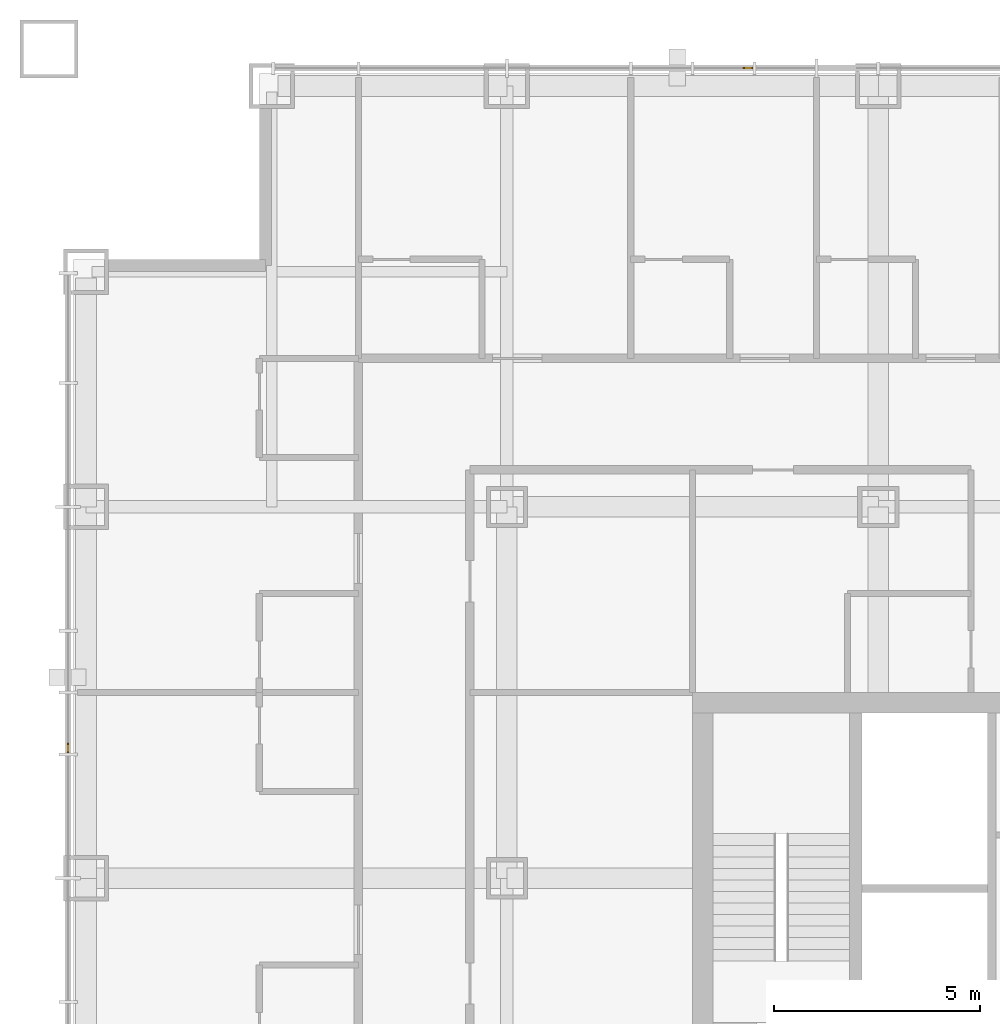
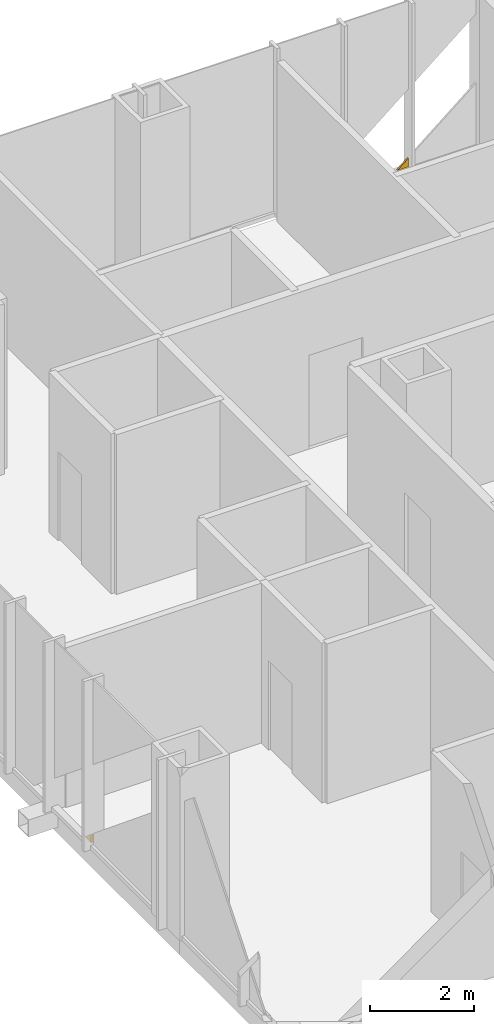
# One storey, part 17 of 18: 2 coverings.
"""IFC4 building model written with IfcOpenShell, lengths in metres."""

from ifc_helpers import new_model, si_unit, direction, frame, origin, place, context, subcontext, project, spatial, polyline, outline, extrude, material, layer, layer_set, type_object, element, save


model = new_model("IFC4")

# Units and contexts
model_context = context("Model", 3, precision=1e-05, world=origin(), true_north=direction((0.0, 1.0)))
body_context = subcontext(model_context, "Body", "Model", "MODEL_VIEW")
ifc_project = project(units=[si_unit("LENGTHUNIT", "METRE"), si_unit("AREAUNIT", "SQUARE_METRE"), si_unit("VOLUMEUNIT", "CUBIC_METRE"), si_unit("PLANEANGLEUNIT", "RADIAN"), si_unit("MASSUNIT", "GRAM", prefix="KILO")], contexts=[model_context])

# Site, building, storey
site_placement = place(None, origin())
site = spatial("IfcSite", under=ifc_project, at=site_placement, CompositionType="ELEMENT")
building_placement = place(site_placement, origin())
building = spatial("IfcBuilding", under=site, at=building_placement, Name="Malebo Sky Hospital", CompositionType="ELEMENT")
storey_placement = place(building_placement, frame((0.0, 0.0, 112.0)))
storey = spatial("IfcBuildingStorey", under=building, at=storey_placement, Name="L26", CompositionType="ELEMENT", Elevation=112.0)

# Coverings
ifc_material = material(Name="Anodised aluminium, natural silver insulated infill panel", Category="aluminium")
ifc_layer = layer(ifc_material, 0.0400390625)
ifc_layer_set = layer_set([ifc_layer], Name="BRACE INFILL PANEL 40")
covering_type = type_object("IfcCoveringType", Name="BRACE INFILL PANEL 40", PredefinedType="CLADDING", material=ifc_layer_set)
covering_1_placement = place(storey_placement, frame((52.33984375, 86.135009765625, 0.10009765625), z_axis=(0.0, 0.0, 1.0), x_axis=(1.0, 0.0, 0.0)))
element("IfcCovering", 1, at=covering_1_placement, inside=storey, type_object=covering_type, Name="Brace infill panel 5.1", PredefinedType="CLADDING", context=body_context, shape_type="SweptSolid", body=[
    extrude(outline(polyline([(-0.122802734375, 0.0), (0.122802734375, 0.0), (0.122802734375, 0.2021484375), (-0.122802734375, 0.0)])), frame((0.0, 0.02001953125, 0.0), z_axis=(0.0, -1.0, 0.0), x_axis=(1.0, 0.0, 0.0)), (0.0, 0.0, 1.0), 0.0400390625),
])
covering_2_placement = place(storey_placement, frame((35.864990234375, 69.66015625, 0.10009765625), z_axis=(0.0, 0.0, 1.0), x_axis=(0.0, 1.0, 0.0)))
element("IfcCovering", 2, at=covering_2_placement, inside=storey, type_object=covering_type, Name="Brace infill panel 12.1", PredefinedType="CLADDING", context=body_context, shape_type="SweptSolid", body=[
    extrude(outline(polyline([(-0.122802734375, 0.0), (0.122802734375, 0.0), (-0.122802734375, 0.2021484375), (-0.122802734375, 0.0)])), frame((0.0, 0.02001953125, 0.0), z_axis=(0.0, -1.0, 0.0), x_axis=(1.0, 0.0, 0.0)), (0.0, 0.0, 1.0), 0.0400390625),
])

save(model, "model.ifc")
